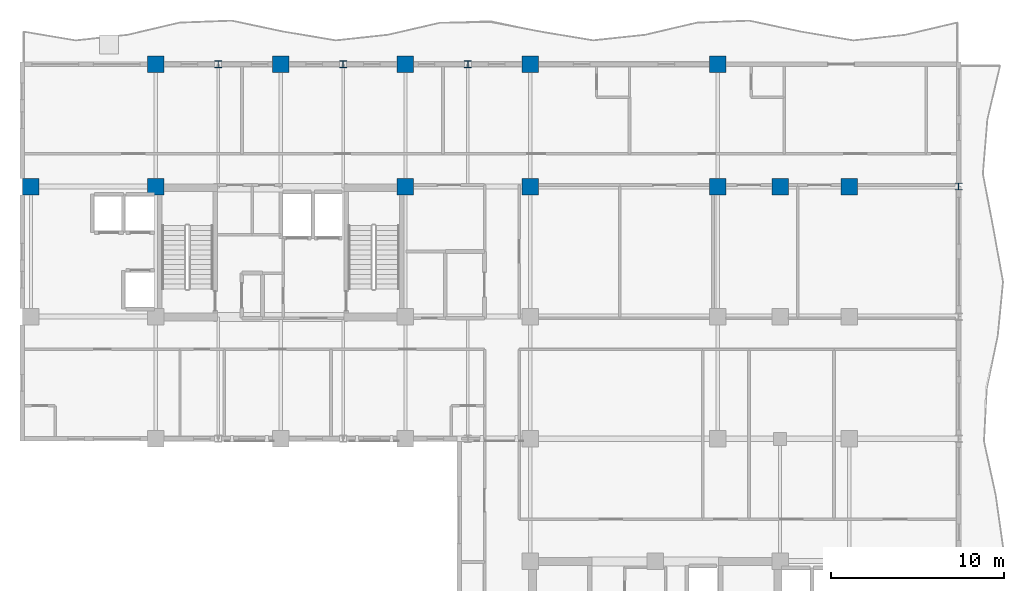
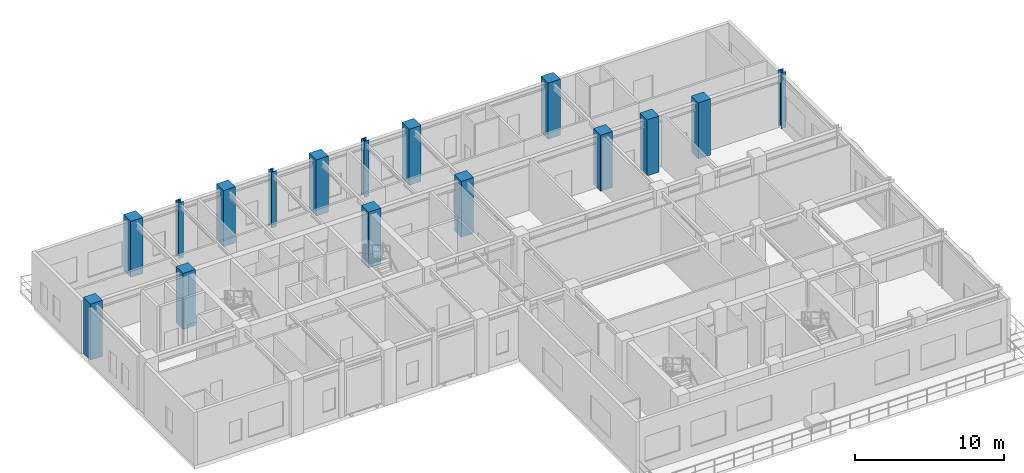
# One storey, part 3 of 14: 16 columns.
"""IFC4 building model written with IfcOpenShell, lengths in metres."""

from ifc_helpers import new_model, si_unit, direction, frame, origin, origin_2d, place, context, subcontext, project, spatial, rectangle, i_section, extrude, source, transform, mapped, material, material_profile, profile_set, type_object, element, save


model = new_model("IFC4")

# Units and contexts
model_context = context("Model", 3, precision=1e-05, world=origin(), true_north=direction((0.0, 1.0)))
body_context = subcontext(model_context, "Body", "Model", "MODEL_VIEW")
ifc_project = project(units=[si_unit("LENGTHUNIT", "METRE"), si_unit("AREAUNIT", "SQUARE_METRE"), si_unit("VOLUMEUNIT", "CUBIC_METRE"), si_unit("PLANEANGLEUNIT", "RADIAN"), si_unit("MASSUNIT", "GRAM", prefix="KILO")], contexts=[model_context])

# Site, building, storey
site_placement = place(None, origin())
site = spatial("IfcSite", under=ifc_project, at=site_placement, CompositionType="ELEMENT")
building_placement = place(site_placement, origin())
building = spatial("IfcBuilding", under=site, at=building_placement, Name="Kaliganga Portal Commons", CompositionType="ELEMENT")
storey_placement = place(building_placement, frame((0.0, 0.0, 197.199951171875)))
storey = spatial("IfcBuildingStorey", under=building, at=storey_placement, Name="L50", CompositionType="ELEMENT", Elevation=197.199951171875)

# Columns
ifc_material_1 = material(Name="Concrete C50/60", Category="concrete")
ifc_material_profile_1 = material_profile(ifc_material_1, rectangle(XDim=0.949951171875, YDim=0.949951171875, at=origin_2d()), Name="RC 950x950")
ifc_profile_set_1 = profile_set([ifc_material_profile_1], Name="Concrete C50/60")
column_type_1 = type_object("IfcColumnType", Name="COL-MEGA-Z4", PredefinedType="COLUMN", material=ifc_profile_set_1)
shared_shape_1 = source(origin(), body_context, "Body", "SweptSolid", [
    extrude(rectangle(XDim=0.949951171875, YDim=0.949951171875, at=origin_2d()), origin(), (0.0, 0.0, 1.0), 4.60009765625),
])
for number, where, z_axis, x_axis, name in (
    (1, (7.199951171875, 36.14990234375, 0.0), (0.0, 0.0, 1.0), (1.0, 0.0, 0.0), "Column MC-05 L50"),
    (2, (14.39990234375, 36.14990234375, 0.0), (0.0, 0.0, 1.0), (1.0, 0.0, 0.0), "Column MC-05 L50"),
    (3, (14.39990234375, 43.199951171875, 0.0), (0.0, 0.0, 1.0), (1.0, 0.0, 0.0), "Column MC-05 L50"),
    (4, (21.60009765625, 43.199951171875, 0.0), (0.0, 0.0, 1.0), (1.0, 0.0, 0.0), "Column MC-05 L50"),
    (5, (28.800048828125, 36.14990234375, 0.0), (0.0, 0.0, 1.0), (1.0, 0.0, 0.0), "Column MC-05 L50"),
    (6, (28.800048828125, 43.199951171875, 0.0), (0.0, 0.0, 1.0), (1.0, 0.0, 0.0), "Column MC-05 L50"),
    (7, (36.0, 43.199951171875, 0.0), (0.0, 0.0, 1.0), (1.0, 0.0, 0.0), "Column MC-05 L50"),
    (8, (36.0, 36.14990234375, 0.0), (0.0, 0.0, 1.0), (1.0, 0.0, 0.0), "Column MC-05 L50"),
    (9, (46.800048828125, 36.14990234375, 0.0), (0.0, 0.0, 1.0), (1.0, 0.0, 0.0), "Column MC-05 L50"),
    (10, (46.800048828125, 43.199951171875, 0.0), (0.0, 0.0, 1.0), (1.0, 0.0, 0.0), "Column MC-05 L50"),
    (11, (50.39990234375, 36.14990234375, 0.0), (0.0, 0.0, 1.0), (1.0, 0.0, 0.0), "Column MC-05 L50"),
    (12, (54.39990234375, 36.14990234375, 0.0), (0.0, 0.0, 1.0), (1.0, 0.0, 0.0), "Column MC-05 L50"),
):
    element("IfcColumn", number, at=place(storey_placement, frame(where, z_axis=z_axis, x_axis=x_axis)), inside=storey, type_object=column_type_1, Name=name, PredefinedType="COLUMN", context=body_context, shape_type="MappedRepresentation", body=[
        mapped(shared_shape_1, transform((0.0, 0.0, 0.0), x_axis=(1.0, 0.0, 0.0), y_axis=(0.0, 1.0, 0.0), z_axis=(0.0, 0.0, 1.0), scale=1.0)),
    ])
ifc_material_2 = material(Name="Structural steel S355J2", Category="steel")
ifc_material_profile_2 = material_profile(ifc_material_2, i_section(OverallWidth=0.39892578125, OverallDepth=0.39990234375, WebThickness=0.017333984375, FlangeThickness=0.0234375, FilletRadius=0.014892578125, at=origin_2d()), Name="HD 400x287")
ifc_profile_set_2 = profile_set([ifc_material_profile_2], Name="Structural steel S355J2 wide-flange")
column_type_2 = type_object("IfcColumnType", Name="COL-TUBE-B4", PredefinedType="COLUMN", material=ifc_profile_set_2)
shared_shape_2 = source(origin(), body_context, "Body", "SweptSolid", [
    extrude(i_section(OverallWidth=0.39892578125, OverallDepth=0.39990234375, WebThickness=0.017333984375, FlangeThickness=0.0234375, FilletRadius=0.014892578125, at=origin_2d()), origin(), (0.0, 0.0, 1.0), 4.60009765625),
])
for number, where, z_axis, x_axis, name in (
    (13, (18.0, 43.199951171875, 0.0), (0.0, 0.0, 1.0), (1.0, 0.0, 0.0), "Column TC-04 L50"),
    (14, (25.199951171875, 43.199951171875, 0.0), (0.0, 0.0, 1.0), (1.0, 0.0, 0.0), "Column TC-04 L50"),
    (15, (32.39990234375, 43.199951171875, 0.0), (0.0, 0.0, 1.0), (1.0, 0.0, 0.0), "Column TC-04 L50"),
    (16, (60.699951171875, 36.14990234375, 0.0), (0.0, 0.0, 1.0), (1.0, 0.0, 0.0), "Column TC-04 L50"),
):
    element("IfcColumn", number, at=place(storey_placement, frame(where, z_axis=z_axis, x_axis=x_axis)), inside=storey, type_object=column_type_2, Name=name, PredefinedType="COLUMN", context=body_context, shape_type="MappedRepresentation", body=[
        mapped(shared_shape_2, transform((0.0, 0.0, 0.0), x_axis=(1.0, 0.0, 0.0), y_axis=(0.0, 1.0, 0.0), z_axis=(0.0, 0.0, 1.0), scale=1.0)),
    ])

save(model, "model.ifc")
